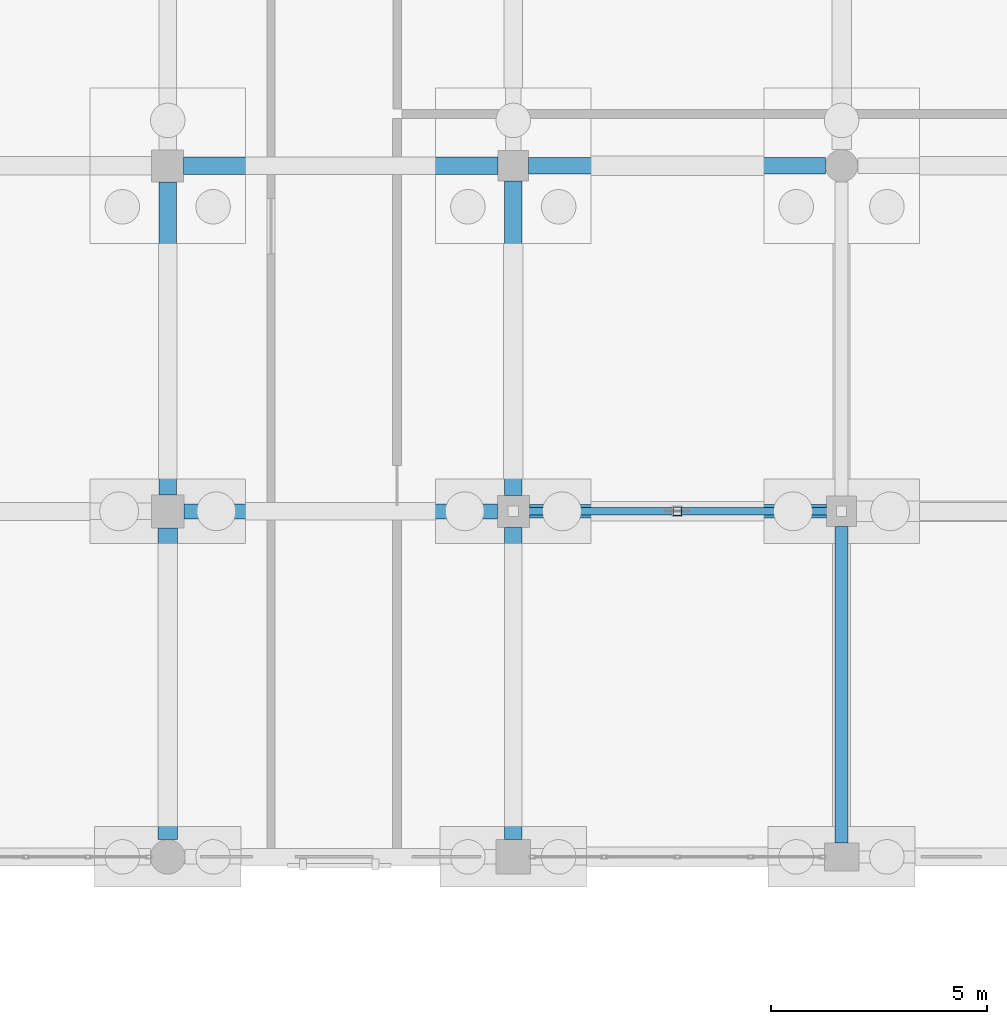
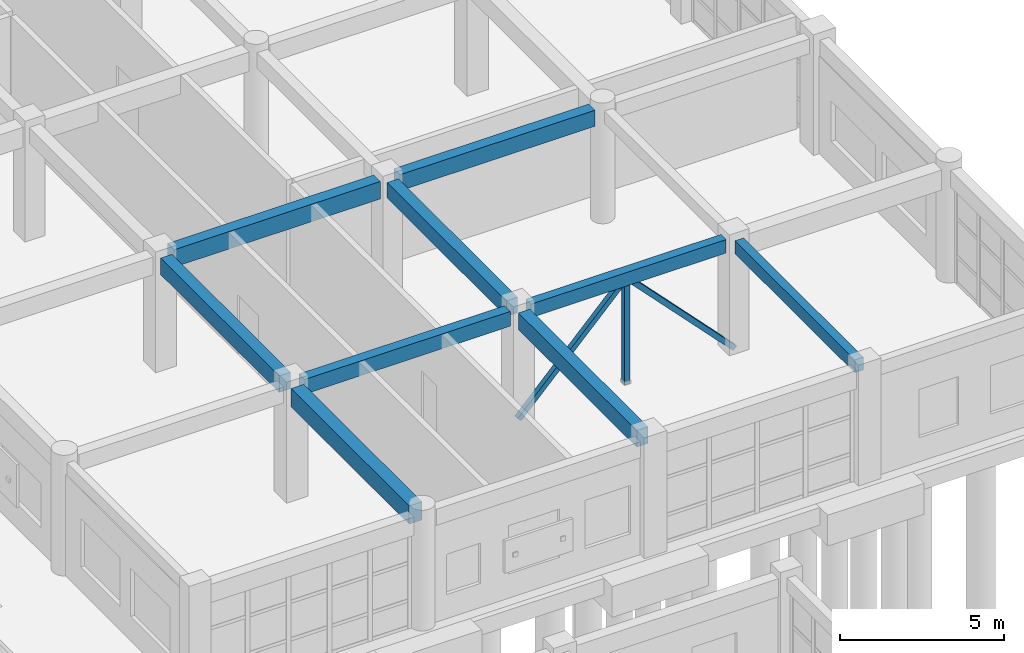
# One storey, part 90 of 166: 9 beams, 3 members.
"""IFC4 building model written with IfcOpenShell, lengths in metres."""

from ifc_helpers import new_model, si_unit, direction, frame, origin, origin_2d, place, context, subcontext, project, spatial, rectangle, hollow_rectangle, extrude, material, material_profile, profile_set, type_object, element, save


model = new_model("IFC4")

# Units and contexts
model_context = context("Model", 3, precision=1e-05, world=origin(), true_north=direction((0.0, 1.0)))
body_context = subcontext(model_context, "Body", "Model", "MODEL_VIEW")
ifc_project = project(units=[si_unit("LENGTHUNIT", "METRE"), si_unit("AREAUNIT", "SQUARE_METRE"), si_unit("VOLUMEUNIT", "CUBIC_METRE"), si_unit("PLANEANGLEUNIT", "RADIAN"), si_unit("MASSUNIT", "GRAM", prefix="KILO")], contexts=[model_context])

# Site, building, storey
site_placement = place(None, origin())
site = spatial("IfcSite", under=ifc_project, at=site_placement, CompositionType="ELEMENT")
building_placement = place(site_placement, origin())
building = spatial("IfcBuilding", under=site, at=building_placement, Name="Kharva Crest Polytechnic", CompositionType="ELEMENT")
storey_placement = place(building_placement, origin())
storey = spatial("IfcBuildingStorey", under=building, at=storey_placement, Name="L00", CompositionType="ELEMENT", Elevation=0.0)

# Beams
ifc_material_1 = material(Name="Concrete C35/45", Category="concrete")
ifc_material_profile_1 = material_profile(ifc_material_1, rectangle(XDim=0.300048828125, YDim=0.47998046875, at=origin_2d()), Name="RECT 300 X 480")
ifc_profile_set_1 = profile_set([ifc_material_profile_1], Name="Concrete C35/45")
beam_type_1 = type_object("IfcBeamType", Name="BM-RC-300X480", PredefinedType="BEAM", material=ifc_profile_set_1)
beam_1_placement = place(storey_placement, frame((176.39990234375, 39.125, 3.97998046875), z_axis=(0.0, 1.0, 0.0), x_axis=(-1.0, 0.0, 0.0)))
element("IfcBeam", 1, at=beam_1_placement, inside=storey, type_object=beam_type_1, Name="L00 Girder 23/FJ-G", PredefinedType="BEAM", context=body_context, shape_type="SweptSolid", body=[
    extrude(rectangle(XDim=0.300048828125, YDim=0.47998046875, at=origin_2d()), origin(), (0.0, 0.0, 1.0), 7.324951171875),
])
ifc_material_profile_2 = material_profile(ifc_material_1, rectangle(XDim=0.320068359375, YDim=0.5, at=origin_2d()), Name="RECT 320 X 500")
ifc_profile_set_2 = profile_set([ifc_material_profile_2], Name="Concrete C35/45")
beam_type_2 = type_object("IfcBeamType", Name="BM-RC-320X500", PredefinedType="BEAM", material=ifc_profile_set_2)
beam_2_placement = place(storey_placement, frame((169.169921875, 46.800048828125, 3.969970703125), z_axis=(1.0, 0.0, 0.0), x_axis=(0.0, 1.0, 0.0)))
element("IfcBeam", 2, at=beam_2_placement, inside=storey, type_object=beam_type_2, Name="L00 Beam G/22-23", PredefinedType="BEAM", context=body_context, shape_type="SweptSolid", body=[
    extrude(rectangle(XDim=0.320068359375, YDim=0.5, at=origin_2d()), origin(), (0.0, 0.0, 1.0), 6.880126953125),
])
ifc_material_profile_3 = material_profile(ifc_material_1, rectangle(XDim=0.35009765625, YDim=0.550048828125, at=origin_2d()), Name="RECT 350 X 550")
ifc_profile_set_3 = profile_set([ifc_material_profile_3], Name="Concrete C35/45")
beam_type_3 = type_object("IfcBeamType", Name="BM-RC-350X550", PredefinedType="BEAM", material=ifc_profile_set_3)
beam_3_placement = place(storey_placement, frame((161.179931640625, 46.800048828125, 3.945068359375), z_axis=(1.0, 0.0, 0.0), x_axis=(0.0, 1.0, 0.0)))
element("IfcBeam", 3, at=beam_3_placement, inside=storey, type_object=beam_type_3, Name="L00 Beam G/21-22", PredefinedType="BEAM", context=body_context, shape_type="SweptSolid", body=[
    extrude(rectangle(XDim=0.35009765625, YDim=0.550048828125, at=origin_2d()), origin(), (0.0, 0.0, 1.0), 7.25),
])
ifc_material_profile_4 = material_profile(ifc_material_1, rectangle(XDim=0.3798828125, YDim=0.60009765625, at=origin_2d()), Name="RECT 380 X 600")
ifc_profile_set_4 = profile_set([ifc_material_profile_4], Name="Concrete C35/45")
beam_type_4 = type_object("IfcBeamType", Name="BM-RC-380X600", PredefinedType="BEAM", material=ifc_profile_set_4)
beam_4_placement = place(storey_placement, frame((169.14990234375, 54.800048828125, 3.919921875), z_axis=(1.0, 0.0, 0.0), x_axis=(0.0, 1.0, 0.0)))
element("IfcBeam", 4, at=beam_4_placement, inside=storey, type_object=beam_type_4, Name="L00 Beam H/22-23", PredefinedType="BEAM", context=body_context, shape_type="SweptSolid", body=[
    extrude(rectangle(XDim=0.3798828125, YDim=0.60009765625, at=origin_2d()), origin(), (0.0, 0.0, 1.0), 6.875),
])
ifc_material_profile_5 = material_profile(ifc_material_1, rectangle(XDim=0.39990234375, YDim=0.580078125, at=origin_2d()), Name="RECT 400 X 580")
ifc_profile_set_5 = profile_set([ifc_material_profile_5], Name="Concrete C35/45")
beam_type_5 = type_object("IfcBeamType", Name="BM-RC-400X580", PredefinedType="BEAM", material=ifc_profile_set_5)
beam_5_placement = place(storey_placement, frame((168.800048828125, 47.169921875, 3.929931640625), z_axis=(0.0, 1.0, 0.0), x_axis=(-1.0, 0.0, 0.0)))
element("IfcBeam", 5, at=beam_5_placement, inside=storey, type_object=beam_type_5, Name="L00 Girder 22/G-H", PredefinedType="BEAM", context=body_context, shape_type="SweptSolid", body=[
    extrude(rectangle(XDim=0.39990234375, YDim=0.580078125, at=origin_2d()), origin(), (0.0, 0.0, 1.0), 7.280029296875),
])
ifc_material_profile_6 = material_profile(ifc_material_1, rectangle(XDim=0.39990234375, YDim=0.6201171875, at=origin_2d()), Name="RECT 400 X 620")
ifc_profile_set_6 = profile_set([ifc_material_profile_6], Name="Concrete C35/45")
beam_type_6 = type_object("IfcBeamType", Name="BM-RC-400X620", PredefinedType="BEAM", material=ifc_profile_set_6)
beam_6_placement = place(storey_placement, frame((160.800048828125, 47.179931640625, 3.909912109375), z_axis=(0.0, 1.0, 0.0), x_axis=(-1.0, 0.0, 0.0)))
element("IfcBeam", 6, at=beam_6_placement, inside=storey, type_object=beam_type_6, Name="L00 Girder 21/G-H", PredefinedType="BEAM", context=body_context, shape_type="SweptSolid", body=[
    extrude(rectangle(XDim=0.39990234375, YDim=0.6201171875, at=origin_2d()), origin(), (0.0, 0.0, 1.0), 7.25),
])
beam_7_placement = place(storey_placement, frame((168.800048828125, 39.199951171875, 3.909912109375), z_axis=(0.0, 1.0, 0.0), x_axis=(-1.0, 0.0, 0.0)))
element("IfcBeam", 7, at=beam_7_placement, inside=storey, type_object=beam_type_6, Name="L00 Girder 22/FJ-G", PredefinedType="BEAM", context=body_context, shape_type="SweptSolid", body=[
    extrude(rectangle(XDim=0.39990234375, YDim=0.6201171875, at=origin_2d()), origin(), (0.0, 0.0, 1.0), 7.22998046875),
])
ifc_material_profile_7 = material_profile(ifc_material_1, rectangle(XDim=0.39990234375, YDim=0.64990234375, at=origin_2d()), Name="RECT 400 X 650")
ifc_profile_set_7 = profile_set([ifc_material_profile_7], Name="Concrete C35/45")
beam_type_7 = type_object("IfcBeamType", Name="BM-RC-400X650", PredefinedType="BEAM", material=ifc_profile_set_7)
beam_8_placement = place(storey_placement, frame((161.169921875, 54.800048828125, 3.89501953125), z_axis=(1.0, 0.0, 0.0), x_axis=(0.0, 1.0, 0.0)))
element("IfcBeam", 8, at=beam_8_placement, inside=storey, type_object=beam_type_7, Name="L00 Beam H/21-22", PredefinedType="BEAM", context=body_context, shape_type="SweptSolid", body=[
    extrude(rectangle(XDim=0.39990234375, YDim=0.64990234375, at=origin_2d()), origin(), (0.0, 0.0, 1.0), 7.280029296875),
])
ifc_material_profile_8 = material_profile(ifc_material_1, rectangle(XDim=0.449951171875, YDim=0.679931640625, at=origin_2d()), Name="RECT 450 X 680")
ifc_profile_set_8 = profile_set([ifc_material_profile_8], Name="Concrete C35/45")
beam_type_8 = type_object("IfcBeamType", Name="BM-RC-450X680", PredefinedType="BEAM", material=ifc_profile_set_8)
beam_9_placement = place(storey_placement, frame((160.800048828125, 39.199951171875, 3.8798828125), z_axis=(0.0, 1.0, 0.0), x_axis=(-1.0, 0.0, 0.0)))
element("IfcBeam", 9, at=beam_9_placement, inside=storey, type_object=beam_type_8, Name="L00 Girder 21/FJ-G", PredefinedType="BEAM", context=body_context, shape_type="SweptSolid", body=[
    extrude(rectangle(XDim=0.449951171875, YDim=0.679931640625, at=origin_2d()), origin(), (0.0, 0.0, 1.0), 7.219970703125),
])

# Members
ifc_material_2 = material(Name="Steel S355", Category="steel")
ifc_material_profile_9 = material_profile(ifc_material_2, hollow_rectangle(XDim=0.179931640625, YDim=0.179931640625, WallThickness=0.008056640625, at=origin_2d()), Name="RHS 180X180X8.0")
ifc_profile_set_9 = profile_set([ifc_material_profile_9], Name="Steel S355")
member_type_1 = type_object("IfcMemberType", Name="MEM-RHS180-BR", PredefinedType="BRACE", material=ifc_profile_set_9)
member_1_placement = place(storey_placement, frame((168.800048828125, 46.800048828125, 0.0), z_axis=(0.693300076266, 0.0, 0.720649015992), x_axis=(0.0, 1.0, 0.0)))
element("IfcMember", 10, at=member_1_placement, inside=storey, type_object=member_type_1, Name="L00 Braced Frame 7 Diagonal A", PredefinedType="BRACE", context=body_context, shape_type="SweptSolid", body=[
    extrude(hollow_rectangle(XDim=0.179931640625, YDim=0.179931640625, WallThickness=0.008056640625, at=origin_2d()), origin(), (0.0, 0.0, 1.0), 5.481201171875),
])
member_2_placement = place(storey_placement, frame((176.39990234375, 46.800048828125, 0.0), z_axis=(-0.693276942846, 0.0, 0.720671270773), x_axis=(0.0, -1.0, 0.0)))
element("IfcMember", 11, at=member_2_placement, inside=storey, type_object=member_type_1, Name="L00 Braced Frame 7 Diagonal B", PredefinedType="BRACE", context=body_context, shape_type="SweptSolid", body=[
    extrude(hollow_rectangle(XDim=0.179931640625, YDim=0.179931640625, WallThickness=0.008056640625, at=origin_2d()), origin(), (0.0, 0.0, 1.0), 5.48095703125),
])
ifc_material_profile_10 = material_profile(ifc_material_2, hollow_rectangle(XDim=0.199951171875, YDim=0.199951171875, WallThickness=0.008056640625, at=origin_2d()), Name="RHS 200X200X8.0")
ifc_profile_set_10 = profile_set([ifc_material_profile_10], Name="Steel S355")
member_type_2 = type_object("IfcMemberType", Name="MEM-RHS200-ST", PredefinedType="STRUT", material=ifc_profile_set_10)
member_3_placement = place(storey_placement, frame((172.60009765625, 46.800048828125, 0.0), z_axis=(0.0, 0.0, 1.0), x_axis=(1.0, 0.0, 0.0)))
element("IfcMember", 12, at=member_3_placement, inside=storey, type_object=member_type_2, Name="L00 Braced Frame 7 King Strut", PredefinedType="STRUT", context=body_context, shape_type="SweptSolid", body=[
    extrude(hollow_rectangle(XDim=0.199951171875, YDim=0.199951171875, WallThickness=0.008056640625, at=origin_2d()), origin(), (0.0, 0.0, 1.0), 3.949951171875),
])

save(model, "model.ifc")
